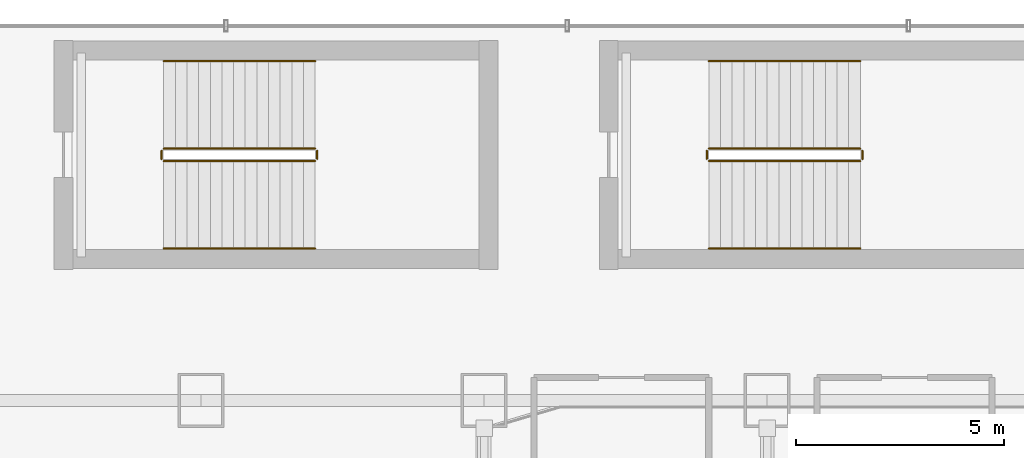
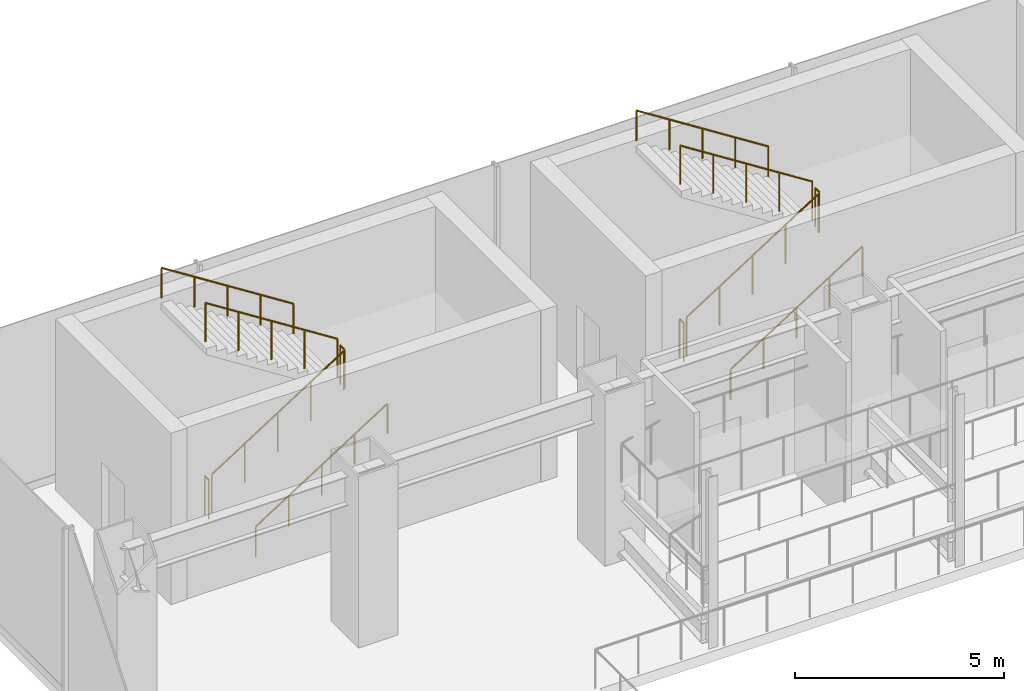
# One storey, part 37 of 40: 12 railings.
"""IFC4 building model written with IfcOpenShell, lengths in metres."""

from ifc_helpers import new_model, si_unit, derived_unit, direction, frame, origin, origin_2d, place, context, subcontext, project, spatial, circle, extrude, material, type_object, element, save


model = new_model("IFC4")

# Units and contexts
model_context = context("Model", 3, precision=1e-05, world=origin(), true_north=direction((0.0, 1.0)))
body_context = subcontext(model_context, "Body", "Model", "MODEL_VIEW")
ifc_project = project(units=[si_unit("LENGTHUNIT", "METRE"), si_unit("AREAUNIT", "SQUARE_METRE"), si_unit("VOLUMEUNIT", "CUBIC_METRE"), si_unit("PLANEANGLEUNIT", "RADIAN"), si_unit("MASSUNIT", "GRAM", prefix="KILO"), derived_unit("THERMALTRANSMITTANCEUNIT", [(si_unit("POWERUNIT", "WATT"), 1), (si_unit("LENGTHUNIT", "METRE"), -2), (si_unit("THERMODYNAMICTEMPERATUREUNIT", "KELVIN"), -1)])], contexts=[model_context])

# Site, building, storey
site_placement = place(None, origin())
site = spatial("IfcSite", under=ifc_project, at=site_placement, CompositionType="ELEMENT")
building_placement = place(site_placement, origin())
building = spatial("IfcBuilding", under=site, at=building_placement, Name="Skarnbrae Concourse Arena and Tower", CompositionType="ELEMENT")
storey_placement = place(building_placement, frame((0.0, 0.0, 6.0)))
storey = spatial("IfcBuildingStorey", under=building, at=storey_placement, Name="L01", CompositionType="ELEMENT", Elevation=6.0)

# Railings
ifc_material = material(Name="Steel CSA G40.21 350W", Category="steel")
railing_type_1 = type_object("IfcRailingType", Name="RAIL-HANDRAIL-900", PredefinedType="HANDRAIL", material=ifc_material)
railing_1_placement = place(storey_placement, frame((6.699951171875, 50.64990234375, 0.178466796875)))
element("IfcRailing", 1, at=railing_1_placement, inside=storey, type_object=railing_type_1, Name="L01 ST-A5 stair handrail 1", PredefinedType="HANDRAIL", context=body_context, shape_type="SweptSolid", body=[
    extrude(circle(Radius=0.02392578125, at=origin_2d()), frame((0.0, 0.0, 0.8759765625), z_axis=(0.843127859045, 0.0, 0.537713132908), x_axis=(0.0, 1.0, 0.0)), (0.0, 0.0, 1.0), 4.3173828125),
    extrude(circle(Radius=0.02099609375, at=origin_2d()), origin(), (0.0, 0.0, 1.0), 0.851806640625),
    extrude(circle(Radius=0.02099609375, at=origin_2d()), frame((0.91015625, 0.0, 0.580322265625)), (0.0, 0.0, 1.0), 0.851806640625),
    extrude(circle(Radius=0.02099609375, at=origin_2d()), frame((1.820068359375, 0.0, 1.16064453125)), (0.0, 0.0, 1.0), 0.851806640625),
    extrude(circle(Radius=0.02099609375, at=origin_2d()), frame((2.72998046875, 0.0, 1.7412109375)), (0.0, 0.0, 1.0), 0.851806640625),
    extrude(circle(Radius=0.02099609375, at=origin_2d()), frame((3.64013671875, 0.0, 2.321533203125)), (0.0, 0.0, 1.0), 0.851806640625),
])
railing_2_placement = place(storey_placement, frame((10.340087890625, 55.14990234375, 2.678466796875)))
element("IfcRailing", 2, at=railing_2_placement, inside=storey, type_object=railing_type_1, Name="L01 ST-A5 stair handrail 2", PredefinedType="HANDRAIL", context=body_context, shape_type="SweptSolid", body=[
    extrude(circle(Radius=0.02392578125, at=origin_2d()), frame((0.0, 0.0, 0.8759765625), z_axis=(-0.843127859045, 0.0, 0.537713132908), x_axis=(0.0, -1.0, 0.0)), (0.0, 0.0, 1.0), 4.3173828125),
    extrude(circle(Radius=0.02099609375, at=origin_2d()), origin(), (0.0, 0.0, 1.0), 0.851806640625),
    extrude(circle(Radius=0.02099609375, at=origin_2d()), frame((-0.91015625, 0.0, 0.580322265625)), (0.0, 0.0, 1.0), 0.851806640625),
    extrude(circle(Radius=0.02099609375, at=origin_2d()), frame((-1.820068359375, 0.0, 1.16064453125)), (0.0, 0.0, 1.0), 0.851806640625),
    extrude(circle(Radius=0.02099609375, at=origin_2d()), frame((-2.72998046875, 0.0, 1.7412109375)), (0.0, 0.0, 1.0), 0.851806640625),
    extrude(circle(Radius=0.02099609375, at=origin_2d()), frame((-3.64013671875, 0.0, 2.321533203125)), (0.0, 0.0, 1.0), 0.851806640625),
])
railing_3_placement = place(storey_placement, frame((19.800048828125, 50.64990234375, 0.178466796875)))
element("IfcRailing", 3, at=railing_3_placement, inside=storey, type_object=railing_type_1, Name="L01 ST-A6 stair handrail 1", PredefinedType="HANDRAIL", context=body_context, shape_type="SweptSolid", body=[
    extrude(circle(Radius=0.02392578125, at=origin_2d()), frame((0.0, 0.0, 0.8759765625), z_axis=(0.843111507901, 0.0, 0.53773877045), x_axis=(0.0, 1.0, 0.0)), (0.0, 0.0, 1.0), 4.317138671875),
    extrude(circle(Radius=0.02099609375, at=origin_2d()), origin(), (0.0, 0.0, 1.0), 0.851806640625),
    extrude(circle(Radius=0.02099609375, at=origin_2d()), frame((0.909912109375, 0.0, 0.580322265625)), (0.0, 0.0, 1.0), 0.851806640625),
    extrude(circle(Radius=0.02099609375, at=origin_2d()), frame((1.81982421875, 0.0, 1.16064453125)), (0.0, 0.0, 1.0), 0.851806640625),
    extrude(circle(Radius=0.02099609375, at=origin_2d()), frame((2.72998046875, 0.0, 1.7412109375)), (0.0, 0.0, 1.0), 0.851806640625),
    extrude(circle(Radius=0.02099609375, at=origin_2d()), frame((3.639892578125, 0.0, 2.321533203125)), (0.0, 0.0, 1.0), 0.851806640625),
])
railing_4_placement = place(storey_placement, frame((23.43994140625, 55.14990234375, 2.678466796875)))
element("IfcRailing", 4, at=railing_4_placement, inside=storey, type_object=railing_type_1, Name="L01 ST-A6 stair handrail 2", PredefinedType="HANDRAIL", context=body_context, shape_type="SweptSolid", body=[
    extrude(circle(Radius=0.02392578125, at=origin_2d()), frame((0.0, 0.0, 0.8759765625), z_axis=(-0.843111507901, 0.0, 0.53773877045), x_axis=(0.0, -1.0, 0.0)), (0.0, 0.0, 1.0), 4.317138671875),
    extrude(circle(Radius=0.02099609375, at=origin_2d()), origin(), (0.0, 0.0, 1.0), 0.851806640625),
    extrude(circle(Radius=0.02099609375, at=origin_2d()), frame((-0.909912109375, 0.0, 0.580322265625)), (0.0, 0.0, 1.0), 0.851806640625),
    extrude(circle(Radius=0.02099609375, at=origin_2d()), frame((-1.81982421875, 0.0, 1.16064453125)), (0.0, 0.0, 1.0), 0.851806640625),
    extrude(circle(Radius=0.02099609375, at=origin_2d()), frame((-2.72998046875, 0.0, 1.7412109375)), (0.0, 0.0, 1.0), 0.851806640625),
    extrude(circle(Radius=0.02099609375, at=origin_2d()), frame((-3.639892578125, 0.0, 2.321533203125)), (0.0, 0.0, 1.0), 0.851806640625),
])
railing_type_2 = type_object("IfcRailingType", Name="RAIL-STAIR-GUARD-1150", PredefinedType="GUARDRAIL", material=ifc_material)
railing_5_placement = place(storey_placement, frame((6.699951171875, 52.75, 0.178466796875)))
element("IfcRailing", 5, at=railing_5_placement, inside=storey, type_object=railing_type_2, Name="L01 ST-A5 stair guard 1", PredefinedType="GUARDRAIL", context=body_context, shape_type="SweptSolid", body=[
    extrude(circle(Radius=0.02392578125, at=origin_2d()), frame((0.0, 0.0, 1.1259765625), z_axis=(0.843127859045, 0.0, 0.537713132908), x_axis=(0.0, 1.0, 0.0)), (0.0, 0.0, 1.0), 4.3173828125),
    extrude(circle(Radius=0.02099609375, at=origin_2d()), origin(), (0.0, 0.0, 1.0), 1.101806640625),
    extrude(circle(Radius=0.02099609375, at=origin_2d()), frame((0.91015625, 0.0, 0.580322265625)), (0.0, 0.0, 1.0), 1.101806640625),
    extrude(circle(Radius=0.02099609375, at=origin_2d()), frame((1.820068359375, 0.0, 1.16064453125)), (0.0, 0.0, 1.0), 1.101806640625),
    extrude(circle(Radius=0.02099609375, at=origin_2d()), frame((2.72998046875, 0.0, 1.7412109375)), (0.0, 0.0, 1.0), 1.101806640625),
    extrude(circle(Radius=0.02099609375, at=origin_2d()), frame((3.64013671875, 0.0, 2.321533203125)), (0.0, 0.0, 1.0), 1.101806640625),
])
railing_6_placement = place(storey_placement, frame((10.389892578125, 52.800048828125, 2.5)))
element("IfcRailing", 6, at=railing_6_placement, inside=storey, type_object=railing_type_2, Name="L01 ST-A5 stair guard 2", PredefinedType="GUARDRAIL", context=body_context, shape_type="SweptSolid", body=[
    extrude(circle(Radius=0.02392578125, at=origin_2d()), frame((0.0, 0.0, 1.1259765625), z_axis=(0.0, 1.0, 0.0), x_axis=(-1.0, 0.0, 0.0)), (0.0, 0.0, 1.0), 0.199951171875),
    extrude(circle(Radius=0.02099609375, at=origin_2d()), origin(), (0.0, 0.0, 1.0), 1.101806640625),
    extrude(circle(Radius=0.02099609375, at=origin_2d()), frame((0.0, 0.199951171875, 0.0)), (0.0, 0.0, 1.0), 1.101806640625),
])
railing_7_placement = place(storey_placement, frame((10.340087890625, 53.050048828125, 2.678466796875)))
element("IfcRailing", 7, at=railing_7_placement, inside=storey, type_object=railing_type_2, Name="L01 ST-A5 stair guard 3", PredefinedType="GUARDRAIL", context=body_context, shape_type="SweptSolid", body=[
    extrude(circle(Radius=0.02392578125, at=origin_2d()), frame((0.0, 0.0, 1.1259765625), z_axis=(-0.843127859045, 0.0, 0.537713132908), x_axis=(0.0, -1.0, 0.0)), (0.0, 0.0, 1.0), 4.3173828125),
    extrude(circle(Radius=0.02099609375, at=origin_2d()), origin(), (0.0, 0.0, 1.0), 1.101806640625),
    extrude(circle(Radius=0.02099609375, at=origin_2d()), frame((-0.91015625, 0.0, 0.580322265625)), (0.0, 0.0, 1.0), 1.101806640625),
    extrude(circle(Radius=0.02099609375, at=origin_2d()), frame((-1.820068359375, 0.0, 1.16064453125)), (0.0, 0.0, 1.0), 1.101806640625),
    extrude(circle(Radius=0.02099609375, at=origin_2d()), frame((-2.72998046875, 0.0, 1.7412109375)), (0.0, 0.0, 1.0), 1.101806640625),
    extrude(circle(Radius=0.02099609375, at=origin_2d()), frame((-3.64013671875, 0.0, 2.321533203125)), (0.0, 0.0, 1.0), 1.101806640625),
])
railing_8_placement = place(storey_placement, frame((6.64990234375, 52.800048828125, 0.0)))
element("IfcRailing", 8, at=railing_8_placement, inside=storey, type_object=railing_type_2, Name="L01 ST-A5 stair guard 4", PredefinedType="GUARDRAIL", context=body_context, shape_type="SweptSolid", body=[
    extrude(circle(Radius=0.02392578125, at=origin_2d()), frame((0.0, 0.0, 1.1259765625), z_axis=(0.0, 1.0, 0.0), x_axis=(-1.0, 0.0, 0.0)), (0.0, 0.0, 1.0), 0.199951171875),
    extrude(circle(Radius=0.02099609375, at=origin_2d()), origin(), (0.0, 0.0, 1.0), 1.101806640625),
    extrude(circle(Radius=0.02099609375, at=origin_2d()), frame((0.0, 0.199951171875, 0.0)), (0.0, 0.0, 1.0), 1.101806640625),
])
railing_9_placement = place(storey_placement, frame((19.800048828125, 52.75, 0.178466796875)))
element("IfcRailing", 9, at=railing_9_placement, inside=storey, type_object=railing_type_2, Name="L01 ST-A6 stair guard 1", PredefinedType="GUARDRAIL", context=body_context, shape_type="SweptSolid", body=[
    extrude(circle(Radius=0.02392578125, at=origin_2d()), frame((0.0, 0.0, 1.1259765625), z_axis=(0.843111507901, 0.0, 0.53773877045), x_axis=(0.0, 1.0, 0.0)), (0.0, 0.0, 1.0), 4.317138671875),
    extrude(circle(Radius=0.02099609375, at=origin_2d()), origin(), (0.0, 0.0, 1.0), 1.101806640625),
    extrude(circle(Radius=0.02099609375, at=origin_2d()), frame((0.909912109375, 0.0, 0.580322265625)), (0.0, 0.0, 1.0), 1.101806640625),
    extrude(circle(Radius=0.02099609375, at=origin_2d()), frame((1.81982421875, 0.0, 1.16064453125)), (0.0, 0.0, 1.0), 1.101806640625),
    extrude(circle(Radius=0.02099609375, at=origin_2d()), frame((2.72998046875, 0.0, 1.7412109375)), (0.0, 0.0, 1.0), 1.101806640625),
    extrude(circle(Radius=0.02099609375, at=origin_2d()), frame((3.639892578125, 0.0, 2.321533203125)), (0.0, 0.0, 1.0), 1.101806640625),
])
railing_10_placement = place(storey_placement, frame((23.489990234375, 52.800048828125, 2.5)))
element("IfcRailing", 10, at=railing_10_placement, inside=storey, type_object=railing_type_2, Name="L01 ST-A6 stair guard 2", PredefinedType="GUARDRAIL", context=body_context, shape_type="SweptSolid", body=[
    extrude(circle(Radius=0.02392578125, at=origin_2d()), frame((0.0, 0.0, 1.1259765625), z_axis=(0.0, 1.0, 0.0), x_axis=(-1.0, 0.0, 0.0)), (0.0, 0.0, 1.0), 0.199951171875),
    extrude(circle(Radius=0.02099609375, at=origin_2d()), origin(), (0.0, 0.0, 1.0), 1.101806640625),
    extrude(circle(Radius=0.02099609375, at=origin_2d()), frame((0.0, 0.199951171875, 0.0)), (0.0, 0.0, 1.0), 1.101806640625),
])
railing_11_placement = place(storey_placement, frame((23.43994140625, 53.050048828125, 2.678466796875)))
element("IfcRailing", 11, at=railing_11_placement, inside=storey, type_object=railing_type_2, Name="L01 ST-A6 stair guard 3", PredefinedType="GUARDRAIL", context=body_context, shape_type="SweptSolid", body=[
    extrude(circle(Radius=0.02392578125, at=origin_2d()), frame((0.0, 0.0, 1.1259765625), z_axis=(-0.843111507901, 0.0, 0.53773877045), x_axis=(0.0, -1.0, 0.0)), (0.0, 0.0, 1.0), 4.317138671875),
    extrude(circle(Radius=0.02099609375, at=origin_2d()), origin(), (0.0, 0.0, 1.0), 1.101806640625),
    extrude(circle(Radius=0.02099609375, at=origin_2d()), frame((-0.909912109375, 0.0, 0.580322265625)), (0.0, 0.0, 1.0), 1.101806640625),
    extrude(circle(Radius=0.02099609375, at=origin_2d()), frame((-1.81982421875, 0.0, 1.16064453125)), (0.0, 0.0, 1.0), 1.101806640625),
    extrude(circle(Radius=0.02099609375, at=origin_2d()), frame((-2.72998046875, 0.0, 1.7412109375)), (0.0, 0.0, 1.0), 1.101806640625),
    extrude(circle(Radius=0.02099609375, at=origin_2d()), frame((-3.639892578125, 0.0, 2.321533203125)), (0.0, 0.0, 1.0), 1.101806640625),
])
railing_12_placement = place(storey_placement, frame((19.75, 52.800048828125, 0.0)))
element("IfcRailing", 12, at=railing_12_placement, inside=storey, type_object=railing_type_2, Name="L01 ST-A6 stair guard 4", PredefinedType="GUARDRAIL", context=body_context, shape_type="SweptSolid", body=[
    extrude(circle(Radius=0.02392578125, at=origin_2d()), frame((0.0, 0.0, 1.1259765625), z_axis=(0.0, 1.0, 0.0), x_axis=(-1.0, 0.0, 0.0)), (0.0, 0.0, 1.0), 0.199951171875),
    extrude(circle(Radius=0.02099609375, at=origin_2d()), origin(), (0.0, 0.0, 1.0), 1.101806640625),
    extrude(circle(Radius=0.02099609375, at=origin_2d()), frame((0.0, 0.199951171875, 0.0)), (0.0, 0.0, 1.0), 1.101806640625),
])

save(model, "model.ifc")
